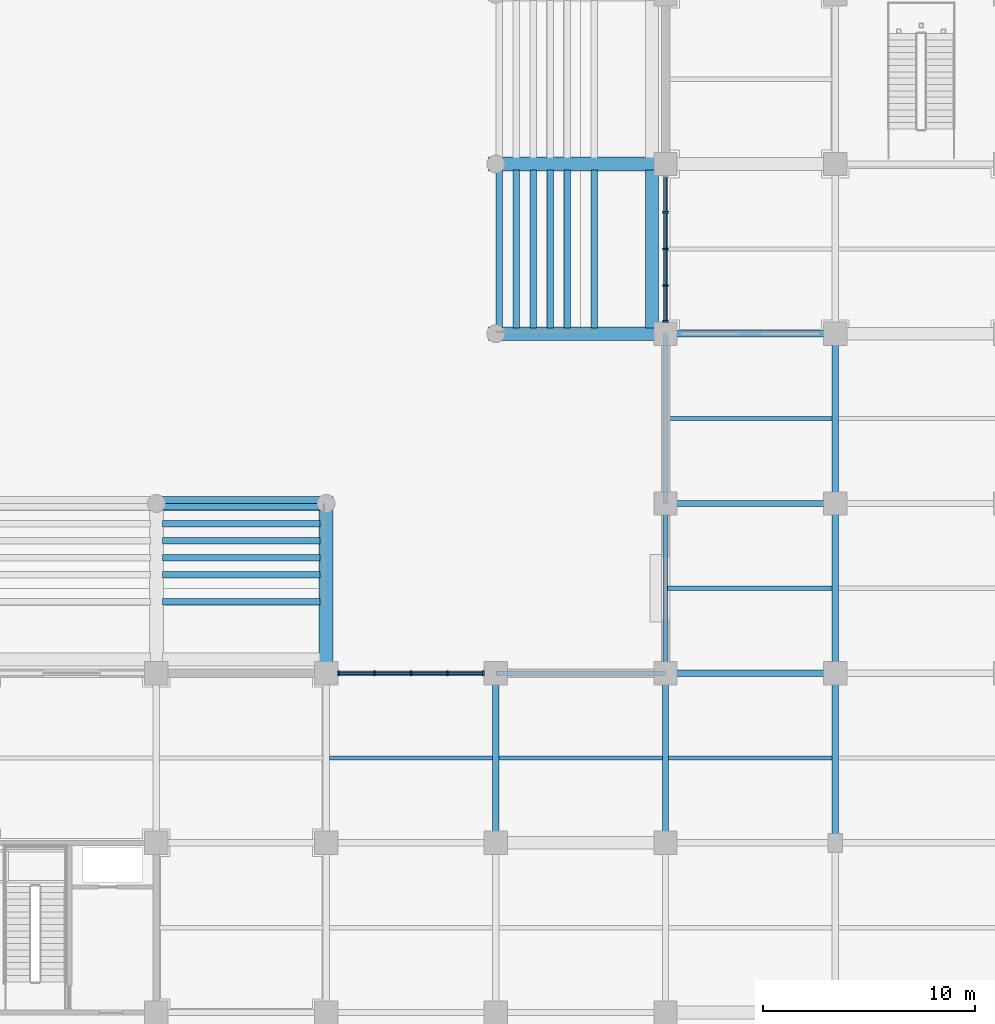
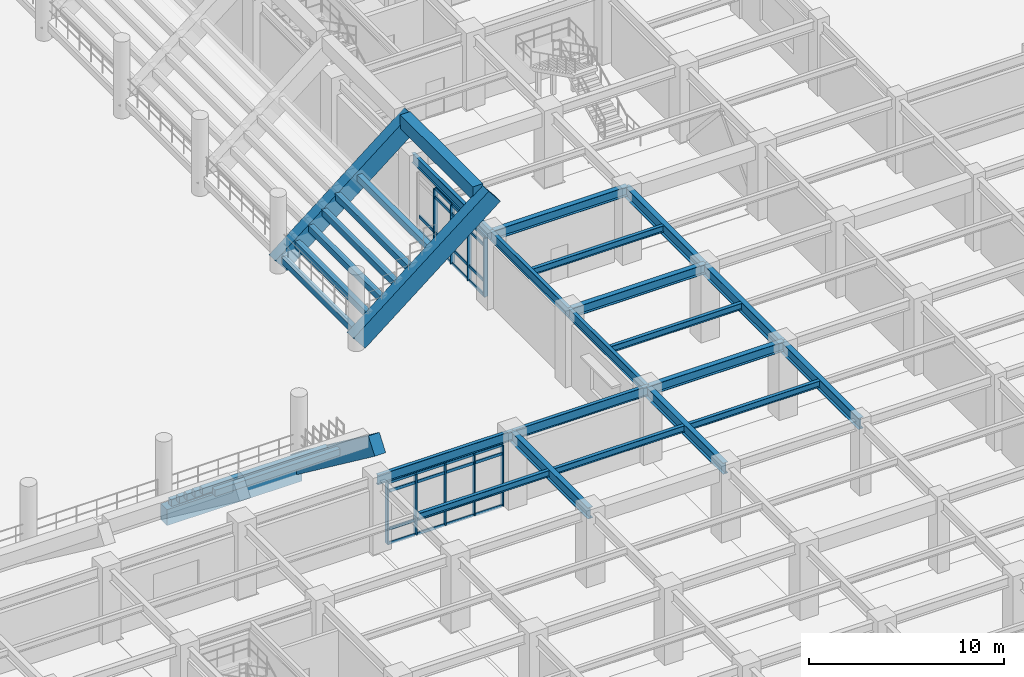
# One storey, part 31 of 125: 39 members, 35 beams, 2 elements without a shape of their own.
"""IFC4 building model written with IfcOpenShell, lengths in metres."""

from ifc_helpers import new_model, si_unit, direction, frame, origin, origin_2d, place, context, subcontext, project, spatial, rectangle, i_section, extrude, material, layer, layer_set, material_profile, profile_set, type_object, element, aggregate, save


model = new_model("IFC4")

# Units and contexts
model_context = context("Model", 3, precision=1e-05, world=origin(), true_north=direction((0.0, 1.0)))
body_context = subcontext(model_context, "Body", "Model", "MODEL_VIEW")
ifc_project = project(units=[si_unit("LENGTHUNIT", "METRE"), si_unit("AREAUNIT", "SQUARE_METRE"), si_unit("VOLUMEUNIT", "CUBIC_METRE"), si_unit("PLANEANGLEUNIT", "RADIAN"), si_unit("MASSUNIT", "GRAM", prefix="KILO")], contexts=[model_context])

# Site, building, storey
site_placement = place(None, origin())
site = spatial("IfcSite", under=ifc_project, at=site_placement, CompositionType="ELEMENT")
building_placement = place(site_placement, origin())
building = spatial("IfcBuilding", under=site, at=building_placement, Name="Haebicheon Civic Stadium", CompositionType="ELEMENT")
storey_placement = place(building_placement, origin())
storey = spatial("IfcBuildingStorey", under=building, at=storey_placement, Name="L01", CompositionType="ELEMENT", Elevation=0.0)

# Beams
ifc_material_1 = material(Name="Precast concrete C40/50", Category="concrete")
ifc_material_profile_1 = material_profile(ifc_material_1, rectangle(XDim=0.300048828125, YDim=0.39990234375, at=origin_2d()), Name="PC-LN-300x400")
ifc_profile_set_1 = profile_set([ifc_material_profile_1], Name="Precast concrete C40/50")
beam_type_1 = type_object("IfcBeamType", Name="BM-LN-300x400", PredefinedType="LINTEL", material=ifc_profile_set_1)
for number, where, z_axis, x_axis, name in (
    (1, (136.159912109375, 48.280029296875, 0.760009765625), (0.0, 1.0, 0.0), (-1.0, 0.0, 0.0), "TIER-E-L precast step carrier beam 1.1"),
    (2, (136.9599609375, 48.280029296875, 1.470947265625), (0.0, 1.0, 0.0), (-1.0, 0.0, 0.0), "TIER-E-L precast step carrier beam 1.2"),
    (3, (137.760009765625, 48.280029296875, 2.181884765625), (0.0, 1.0, 0.0), (-1.0, 0.0, 0.0), "TIER-E-L precast step carrier beam 1.3"),
    (4, (138.56005859375, 48.280029296875, 2.89306640625), (0.0, 1.0, 0.0), (-1.0, 0.0, 0.0), "TIER-E-L precast step carrier beam 1.4"),
    (5, (139.360107421875, 48.280029296875, 3.60400390625), (0.0, 1.0, 0.0), (-1.0, 0.0, 0.0), "TIER-E-L precast step carrier beam 1.5"),
    (6, (140.639892578125, 48.280029296875, 4.31591796875), (0.0, 1.0, 0.0), (-1.0, 0.0, 0.0), "TIER-E-L precast step carrier beam 1.6"),
    (7, (120.280029296875, 39.840087890625, 0.760009765625), (1.0, 0.0, 0.0), (0.0, 1.0, 0.0), "TIER-S-L precast step carrier beam 6.1"),
    (8, (120.280029296875, 39.0400390625, 1.427001953125), (1.0, 0.0, 0.0), (0.0, 1.0, 0.0), "TIER-S-L precast step carrier beam 6.2"),
    (9, (120.280029296875, 38.239990234375, 2.093017578125), (1.0, 0.0, 0.0), (0.0, 1.0, 0.0), "TIER-S-L precast step carrier beam 6.3"),
    (10, (120.280029296875, 37.43994140625, 2.760009765625), (1.0, 0.0, 0.0), (0.0, 1.0, 0.0), "TIER-S-L precast step carrier beam 6.4"),
    (11, (120.280029296875, 36.639892578125, 3.427001953125), (1.0, 0.0, 0.0), (0.0, 1.0, 0.0), "TIER-S-L precast step carrier beam 6.5"),
    (12, (120.280029296875, 35.360107421875, 4.093017578125), (1.0, 0.0, 0.0), (0.0, 1.0, 0.0), "TIER-S-L precast step carrier beam 6.6"),
):
    element("IfcBeam", number, at=place(storey_placement, frame(where, z_axis=z_axis, x_axis=x_axis)), inside=storey, type_object=beam_type_1, material=ifc_profile_set_1, Name=name, PredefinedType="LINTEL", context=body_context, shape_type="SweptSolid", body=[
        extrude(rectangle(XDim=0.300048828125, YDim=0.39990234375, at=origin_2d()), origin(), (0.0, 0.0, 1.0), 7.43994140625),
    ])
ifc_material_2 = material(Name="Concrete C40/50", Category="concrete")
ifc_material_profile_2 = material_profile(ifc_material_2, rectangle(XDim=0.64990234375, YDim=1.0, at=origin_2d()), Name="RC-BM-650x1000")
ifc_profile_set_2 = profile_set([ifc_material_profile_2], Name="Concrete C40/50")
beam_type_2 = type_object("IfcBeamType", Name="BM-RC-650x1000", PredefinedType="BEAM", material=ifc_profile_set_2)
beam_1_placement = place(storey_placement, frame((120.0, 40.0, -0.0400390625), z_axis=(1.0, 0.0, 0.0), x_axis=(0.0, 1.0, 0.0)))
element("IfcBeam", 13, at=beam_1_placement, inside=storey, type_object=beam_type_2, material=ifc_profile_set_2, Name="TIER-S-L nose support girder 6", PredefinedType="BEAM", context=body_context, shape_type="SweptSolid", body=[
    extrude(rectangle(XDim=0.64990234375, YDim=1.0, at=origin_2d()), origin(), (0.0, 0.0, 1.0), 8.0),
])
ifc_material_3 = material(Name="Steel SM355 (S355)", Category="steel")
ifc_material_profile_3 = material_profile(ifc_material_3, i_section(OverallWidth=0.300048828125, OverallDepth=0.60009765625, WebThickness=0.011962890625, FlangeThickness=0.02001953125, at=origin_2d()), Name="H-600x300x12x20")
ifc_profile_set_3 = profile_set([ifc_material_profile_3], Name="Steel SM355 (S355)")
beam_type_3 = type_object("IfcBeamType", Name="BM-ST-H600A", PredefinedType="BEAM", material=ifc_profile_set_3)
for number, where, z_axis, x_axis, name in (
    (14, (144.0, 32.0, 4.219970703125), (1.0, 0.0, 0.0), (0.0, 1.0, 0.0), "L01 beam E/19-20"),
    (15, (144.0, 40.0, 4.219970703125), (1.0, 0.0, 0.0), (0.0, 1.0, 0.0), "L01 beam F/19-20"),
    (16, (144.0, 48.0, 4.219970703125), (1.0, 0.0, 0.0), (0.0, 1.0, 0.0), "L01 beam G/19-20"),
):
    element("IfcBeam", number, at=place(storey_placement, frame(where, z_axis=z_axis, x_axis=x_axis)), inside=storey, type_object=beam_type_3, material=ifc_profile_set_3, Name=name, PredefinedType="BEAM", context=body_context, shape_type="SweptSolid", body=[
        extrude(i_section(OverallWidth=0.300048828125, OverallDepth=0.60009765625, WebThickness=0.011962890625, FlangeThickness=0.02001953125, at=origin_2d()), origin(), (0.0, 0.0, 1.0), 8.0),
    ])
ifc_material_4 = material(Name="Steel SM490", Category="steel")
ifc_material_profile_4 = material_profile(ifc_material_4, i_section(OverallWidth=0.300048828125, OverallDepth=0.699951171875, WebThickness=0.012939453125, FlangeThickness=0.02392578125, at=origin_2d()), Name="H-700x300x13x24")
ifc_profile_set_4 = profile_set([ifc_material_profile_4], Name="Steel SM490")
beam_type_4 = type_object("IfcBeamType", Name="BM-ST-H700", PredefinedType="BEAM", material=ifc_profile_set_4)
for number, where, z_axis, x_axis, name in (
    (17, (136.0, 24.0, 4.169921875), (0.0, 1.0, 0.0), (-1.0, 0.0, 0.0), "L01 girder 18/D-E"),
    (18, (144.0, 24.0, 4.169921875), (0.0, 1.0, 0.0), (-1.0, 0.0, 0.0), "L01 girder 19/D-E"),
    (19, (152.0, 24.0, 4.169921875), (0.0, 1.0, 0.0), (-1.0, 0.0, 0.0), "L01 girder 20/D-E"),
    (20, (152.0, 32.0, 4.169921875), (0.0, 1.0, 0.0), (-1.0, 0.0, 0.0), "L01 girder 20/E-F"),
    (21, (152.0, 40.0, 4.169921875), (0.0, 1.0, 0.0), (-1.0, 0.0, 0.0), "L01 girder 20/F-G"),
):
    element("IfcBeam", number, at=place(storey_placement, frame(where, z_axis=z_axis, x_axis=x_axis)), inside=storey, type_object=beam_type_4, material=ifc_profile_set_4, Name=name, PredefinedType="BEAM", context=body_context, shape_type="SweptSolid", body=[
        extrude(i_section(OverallWidth=0.300048828125, OverallDepth=0.699951171875, WebThickness=0.012939453125, FlangeThickness=0.02392578125, at=origin_2d()), origin(), (0.0, 0.0, 1.0), 8.0),
    ])
ifc_material_5 = material(Name="Precast concrete C40/50", Category="concrete")
ifc_material_profile_5 = material_profile(ifc_material_5, rectangle(XDim=0.60009765625, YDim=0.85009765625, at=origin_2d()), Name="PC-TB-600x850")
ifc_profile_set_5 = profile_set([ifc_material_profile_5], Name="Precast concrete C40/50")
beam_type_5 = type_object("IfcBeamType", Name="BM-TB-600x850", PredefinedType="T_BEAM", material=ifc_profile_set_5)
beam_2_placement = place(storey_placement, frame((143.360107421875, 48.280029296875, 6.93505859375), z_axis=(0.0, 1.0, 0.0), x_axis=(-1.0, 0.0, 0.0)))
element("IfcBeam", 22, at=beam_2_placement, inside=storey, type_object=beam_type_5, material=ifc_profile_set_5, Name="TIER-E-L upper tier bench carrier beam 1", PredefinedType="T_BEAM", context=body_context, shape_type="SweptSolid", body=[
    extrude(rectangle(XDim=0.60009765625, YDim=0.85009765625, at=origin_2d()), origin(), (0.0, 0.0, 1.0), 7.43994140625),
])

# Curtain wall, members
ifc_material_6 = material(Name="Anodised aluminium and laminated glass", Category="aluminium")
ifc_layer_1 = layer(ifc_material_6, 0.179931640625, Name="Anodised aluminium and laminated glass")
ifc_layer_set_1 = layer_set([ifc_layer_1], Name="Anodised aluminium and laminated glass")
curtain_wall_type_1 = type_object("IfcCurtainWallType", Name="CW-6900x3810", PredefinedType="NOTDEFINED", material=ifc_layer_set_1)
curtain_wall_1_placement = place(storey_placement, origin())
curtain_wall_1 = element("IfcCurtainWall", 23, at=curtain_wall_1_placement, inside=storey, type_object=curtain_wall_type_1, material=ifc_layer_set_1, Name="L01 unitised curtain wall 012", PredefinedType="NOTDEFINED")
ifc_material_7 = material(Name="Anodised aluminium 6063-T6", Category="aluminium")
ifc_material_profile_6 = material_profile(ifc_material_7, rectangle(XDim=0.080078125, YDim=0.239990234375, at=origin_2d()), Name="ALU-MULL-80x240")
ifc_profile_set_6 = profile_set([ifc_material_profile_6], Name="Anodised aluminium 6063-T6")
member_type_1 = type_object("IfcMemberType", Name="CWM-240x80", PredefinedType="MULLION", material=ifc_profile_set_6)
member_1_placement = place(storey_placement, frame((128.590087890625, 32.0, 0.0), z_axis=(0.0, 0.0, 1.0), x_axis=(1.0, 0.0, 0.0)))
member_1 = element("IfcMember", 24, at=member_1_placement, type_object=member_type_1, material=ifc_profile_set_6, Name="CW-L01-012 vertical mullion 1", PredefinedType="MULLION", context=body_context, shape_type="SweptSolid", body=[
    extrude(rectangle(XDim=0.080078125, YDim=0.239990234375, at=origin_2d()), origin(), (0.0, 0.0, 1.0), 3.81005859375),
])
member_2_placement = place(storey_placement, frame((130.27490234375, 32.0, 0.0), z_axis=(0.0, 0.0, 1.0), x_axis=(1.0, 0.0, 0.0)))
member_2 = element("IfcMember", 25, at=member_2_placement, type_object=member_type_1, material=ifc_profile_set_6, Name="CW-L01-012 vertical mullion 2", PredefinedType="MULLION", context=body_context, shape_type="SweptSolid", body=[
    extrude(rectangle(XDim=0.080078125, YDim=0.239990234375, at=origin_2d()), origin(), (0.0, 0.0, 1.0), 3.81005859375),
])
member_3_placement = place(storey_placement, frame((132.0, 32.0, 0.0), z_axis=(0.0, 0.0, 1.0), x_axis=(1.0, 0.0, 0.0)))
member_3 = element("IfcMember", 26, at=member_3_placement, type_object=member_type_1, material=ifc_profile_set_6, Name="CW-L01-012 vertical mullion 3", PredefinedType="MULLION", context=body_context, shape_type="SweptSolid", body=[
    extrude(rectangle(XDim=0.080078125, YDim=0.239990234375, at=origin_2d()), origin(), (0.0, 0.0, 1.0), 3.81005859375),
])
member_4_placement = place(storey_placement, frame((133.72509765625, 32.0, 0.0), z_axis=(0.0, 0.0, 1.0), x_axis=(1.0, 0.0, 0.0)))
member_4 = element("IfcMember", 27, at=member_4_placement, type_object=member_type_1, material=ifc_profile_set_6, Name="CW-L01-012 vertical mullion 4", PredefinedType="MULLION", context=body_context, shape_type="SweptSolid", body=[
    extrude(rectangle(XDim=0.080078125, YDim=0.239990234375, at=origin_2d()), origin(), (0.0, 0.0, 1.0), 3.81005859375),
])
member_5_placement = place(storey_placement, frame((135.409912109375, 32.0, 0.0), z_axis=(0.0, 0.0, 1.0), x_axis=(1.0, 0.0, 0.0)))
member_5 = element("IfcMember", 28, at=member_5_placement, type_object=member_type_1, material=ifc_profile_set_6, Name="CW-L01-012 vertical mullion 5", PredefinedType="MULLION", context=body_context, shape_type="SweptSolid", body=[
    extrude(rectangle(XDim=0.080078125, YDim=0.239990234375, at=origin_2d()), origin(), (0.0, 0.0, 1.0), 3.81005859375),
])

ifc_material_8 = material(Name="Anodised aluminium and laminated glass", Category="aluminium")
ifc_layer_2 = layer(ifc_material_8, 0.179931640625, Name="Anodised aluminium and laminated glass")
ifc_layer_set_2 = layer_set([ifc_layer_2], Name="Anodised aluminium and laminated glass")
curtain_wall_type_2 = type_object("IfcCurtainWallType", Name="CW-6900x3660", PredefinedType="NOTDEFINED", material=ifc_layer_set_2)
curtain_wall_2_placement = place(storey_placement, origin())
curtain_wall_2 = element("IfcCurtainWall", 29, at=curtain_wall_2_placement, inside=storey, type_object=curtain_wall_type_2, material=ifc_layer_set_2, Name="L01 unitised curtain wall 013", PredefinedType="NOTDEFINED")
member_6_placement = place(storey_placement, frame((144.0, 48.590087890625, 0.0), z_axis=(0.0, 0.0, 1.0), x_axis=(0.0, 1.0, 0.0)))
member_6 = element("IfcMember", 30, at=member_6_placement, type_object=member_type_1, material=ifc_profile_set_6, Name="CW-L01-013 vertical mullion 1", PredefinedType="MULLION", context=body_context, shape_type="SweptSolid", body=[
    extrude(rectangle(XDim=0.080078125, YDim=0.239990234375, at=origin_2d()), origin(), (0.0, 0.0, 1.0), 3.659912109375),
])
member_7_placement = place(storey_placement, frame((144.0, 50.27490234375, 0.0), z_axis=(0.0, 0.0, 1.0), x_axis=(0.0, 1.0, 0.0)))
member_7 = element("IfcMember", 31, at=member_7_placement, type_object=member_type_1, material=ifc_profile_set_6, Name="CW-L01-013 vertical mullion 2", PredefinedType="MULLION", context=body_context, shape_type="SweptSolid", body=[
    extrude(rectangle(XDim=0.080078125, YDim=0.239990234375, at=origin_2d()), origin(), (0.0, 0.0, 1.0), 3.659912109375),
])
member_8_placement = place(storey_placement, frame((144.0, 52.0, 0.0), z_axis=(0.0, 0.0, 1.0), x_axis=(0.0, 1.0, 0.0)))
member_8 = element("IfcMember", 32, at=member_8_placement, type_object=member_type_1, material=ifc_profile_set_6, Name="CW-L01-013 vertical mullion 3", PredefinedType="MULLION", context=body_context, shape_type="SweptSolid", body=[
    extrude(rectangle(XDim=0.080078125, YDim=0.239990234375, at=origin_2d()), origin(), (0.0, 0.0, 1.0), 3.659912109375),
])
member_9_placement = place(storey_placement, frame((144.0, 53.72509765625, 0.0), z_axis=(0.0, 0.0, 1.0), x_axis=(0.0, 1.0, 0.0)))
member_9 = element("IfcMember", 33, at=member_9_placement, type_object=member_type_1, material=ifc_profile_set_6, Name="CW-L01-013 vertical mullion 4", PredefinedType="MULLION", context=body_context, shape_type="SweptSolid", body=[
    extrude(rectangle(XDim=0.080078125, YDim=0.239990234375, at=origin_2d()), origin(), (0.0, 0.0, 1.0), 3.659912109375),
])

# Member
ifc_material_9 = material(Name="Anodised aluminium 6063-T6", Category="aluminium")
ifc_material_profile_7 = material_profile(ifc_material_9, rectangle(XDim=0.080078125, YDim=0.179931640625, at=origin_2d()), Name="ALU-TRAN-80x180")
ifc_profile_set_7 = profile_set([ifc_material_profile_7], Name="Anodised aluminium 6063-T6")
member_type_2 = type_object("IfcMemberType", Name="CWT-180x80", PredefinedType="NOTDEFINED", material=ifc_profile_set_7)
member_10_placement = place(storey_placement, frame((128.6298828125, 32.0, 0.0), z_axis=(1.0, 0.0, 0.0), x_axis=(0.0, 1.0, 0.0)))
member_10 = element("IfcMember", 34, at=member_10_placement, type_object=member_type_2, material=ifc_profile_set_7, Name="CW-L01-012 horizontal transom 1.1", ObjectType="TRANSOM", PredefinedType="USERDEFINED", context=body_context, shape_type="SweptSolid", body=[
    extrude(rectangle(XDim=0.080078125, YDim=0.179931640625, at=origin_2d()), origin(), (0.0, 0.0, 1.0), 1.605224609375),
])

member_11_placement = place(storey_placement, frame((128.6298828125, 32.0, 0.89990234375), z_axis=(1.0, 0.0, 0.0), x_axis=(0.0, 1.0, 0.0)))
member_11 = element("IfcMember", 35, at=member_11_placement, type_object=member_type_2, material=ifc_profile_set_7, Name="CW-L01-012 horizontal transom 1.2", ObjectType="TRANSOM", PredefinedType="USERDEFINED", context=body_context, shape_type="SweptSolid", body=[
    extrude(rectangle(XDim=0.080078125, YDim=0.179931640625, at=origin_2d()), origin(), (0.0, 0.0, 1.0), 1.605224609375),
])

member_12_placement = place(storey_placement, frame((128.6298828125, 32.0, 3.260009765625), z_axis=(1.0, 0.0, 0.0), x_axis=(0.0, 1.0, 0.0)))
member_12 = element("IfcMember", 36, at=member_12_placement, type_object=member_type_2, material=ifc_profile_set_7, Name="CW-L01-012 horizontal transom 1.3", ObjectType="TRANSOM", PredefinedType="USERDEFINED", context=body_context, shape_type="SweptSolid", body=[
    extrude(rectangle(XDim=0.080078125, YDim=0.179931640625, at=origin_2d()), origin(), (0.0, 0.0, 1.0), 1.605224609375),
])

member_13_placement = place(storey_placement, frame((128.6298828125, 32.0, 3.81005859375), z_axis=(1.0, 0.0, 0.0), x_axis=(0.0, 1.0, 0.0)))
member_13 = element("IfcMember", 37, at=member_13_placement, type_object=member_type_2, material=ifc_profile_set_7, Name="CW-L01-012 horizontal transom 1.4", ObjectType="TRANSOM", PredefinedType="USERDEFINED", context=body_context, shape_type="SweptSolid", body=[
    extrude(rectangle(XDim=0.080078125, YDim=0.179931640625, at=origin_2d()), origin(), (0.0, 0.0, 1.0), 1.605224609375),
])

member_14_placement = place(storey_placement, frame((130.31494140625, 32.0, 0.0), z_axis=(1.0, 0.0, 0.0), x_axis=(0.0, 1.0, 0.0)))
member_14 = element("IfcMember", 38, at=member_14_placement, type_object=member_type_2, material=ifc_profile_set_7, Name="CW-L01-012 horizontal transom 2.1", ObjectType="TRANSOM", PredefinedType="USERDEFINED", context=body_context, shape_type="SweptSolid", body=[
    extrude(rectangle(XDim=0.080078125, YDim=0.179931640625, at=origin_2d()), origin(), (0.0, 0.0, 1.0), 1.64501953125),
])

member_15_placement = place(storey_placement, frame((130.31494140625, 32.0, 0.89990234375), z_axis=(1.0, 0.0, 0.0), x_axis=(0.0, 1.0, 0.0)))
member_15 = element("IfcMember", 39, at=member_15_placement, type_object=member_type_2, material=ifc_profile_set_7, Name="CW-L01-012 horizontal transom 2.2", ObjectType="TRANSOM", PredefinedType="USERDEFINED", context=body_context, shape_type="SweptSolid", body=[
    extrude(rectangle(XDim=0.080078125, YDim=0.179931640625, at=origin_2d()), origin(), (0.0, 0.0, 1.0), 1.64501953125),
])

member_16_placement = place(storey_placement, frame((130.31494140625, 32.0, 3.260009765625), z_axis=(1.0, 0.0, 0.0), x_axis=(0.0, 1.0, 0.0)))
member_16 = element("IfcMember", 40, at=member_16_placement, type_object=member_type_2, material=ifc_profile_set_7, Name="CW-L01-012 horizontal transom 2.3", ObjectType="TRANSOM", PredefinedType="USERDEFINED", context=body_context, shape_type="SweptSolid", body=[
    extrude(rectangle(XDim=0.080078125, YDim=0.179931640625, at=origin_2d()), origin(), (0.0, 0.0, 1.0), 1.64501953125),
])

member_17_placement = place(storey_placement, frame((130.31494140625, 32.0, 3.81005859375), z_axis=(1.0, 0.0, 0.0), x_axis=(0.0, 1.0, 0.0)))
member_17 = element("IfcMember", 41, at=member_17_placement, type_object=member_type_2, material=ifc_profile_set_7, Name="CW-L01-012 horizontal transom 2.4", ObjectType="TRANSOM", PredefinedType="USERDEFINED", context=body_context, shape_type="SweptSolid", body=[
    extrude(rectangle(XDim=0.080078125, YDim=0.179931640625, at=origin_2d()), origin(), (0.0, 0.0, 1.0), 1.64501953125),
])

member_18_placement = place(storey_placement, frame((132.0400390625, 32.0, 0.0), z_axis=(1.0, 0.0, 0.0), x_axis=(0.0, 1.0, 0.0)))
member_18 = element("IfcMember", 42, at=member_18_placement, type_object=member_type_2, material=ifc_profile_set_7, Name="CW-L01-012 horizontal transom 3.1", ObjectType="TRANSOM", PredefinedType="USERDEFINED", context=body_context, shape_type="SweptSolid", body=[
    extrude(rectangle(XDim=0.080078125, YDim=0.179931640625, at=origin_2d()), origin(), (0.0, 0.0, 1.0), 1.64501953125),
])

member_19_placement = place(storey_placement, frame((132.0400390625, 32.0, 0.89990234375), z_axis=(1.0, 0.0, 0.0), x_axis=(0.0, 1.0, 0.0)))
member_19 = element("IfcMember", 43, at=member_19_placement, type_object=member_type_2, material=ifc_profile_set_7, Name="CW-L01-012 horizontal transom 3.2", ObjectType="TRANSOM", PredefinedType="USERDEFINED", context=body_context, shape_type="SweptSolid", body=[
    extrude(rectangle(XDim=0.080078125, YDim=0.179931640625, at=origin_2d()), origin(), (0.0, 0.0, 1.0), 1.64501953125),
])

member_20_placement = place(storey_placement, frame((132.0400390625, 32.0, 3.260009765625), z_axis=(1.0, 0.0, 0.0), x_axis=(0.0, 1.0, 0.0)))
member_20 = element("IfcMember", 44, at=member_20_placement, type_object=member_type_2, material=ifc_profile_set_7, Name="CW-L01-012 horizontal transom 3.3", ObjectType="TRANSOM", PredefinedType="USERDEFINED", context=body_context, shape_type="SweptSolid", body=[
    extrude(rectangle(XDim=0.080078125, YDim=0.179931640625, at=origin_2d()), origin(), (0.0, 0.0, 1.0), 1.64501953125),
])

member_21_placement = place(storey_placement, frame((132.0400390625, 32.0, 3.81005859375), z_axis=(1.0, 0.0, 0.0), x_axis=(0.0, 1.0, 0.0)))
member_21 = element("IfcMember", 45, at=member_21_placement, type_object=member_type_2, material=ifc_profile_set_7, Name="CW-L01-012 horizontal transom 3.4", ObjectType="TRANSOM", PredefinedType="USERDEFINED", context=body_context, shape_type="SweptSolid", body=[
    extrude(rectangle(XDim=0.080078125, YDim=0.179931640625, at=origin_2d()), origin(), (0.0, 0.0, 1.0), 1.64501953125),
])

member_22_placement = place(storey_placement, frame((133.764892578125, 32.0, 0.0), z_axis=(1.0, 0.0, 0.0), x_axis=(0.0, 1.0, 0.0)))
member_22 = element("IfcMember", 46, at=member_22_placement, type_object=member_type_2, material=ifc_profile_set_7, Name="CW-L01-012 horizontal transom 4.1", ObjectType="TRANSOM", PredefinedType="USERDEFINED", context=body_context, shape_type="SweptSolid", body=[
    extrude(rectangle(XDim=0.080078125, YDim=0.179931640625, at=origin_2d()), origin(), (0.0, 0.0, 1.0), 1.605224609375),
])

member_23_placement = place(storey_placement, frame((133.764892578125, 32.0, 0.89990234375), z_axis=(1.0, 0.0, 0.0), x_axis=(0.0, 1.0, 0.0)))
member_23 = element("IfcMember", 47, at=member_23_placement, type_object=member_type_2, material=ifc_profile_set_7, Name="CW-L01-012 horizontal transom 4.2", ObjectType="TRANSOM", PredefinedType="USERDEFINED", context=body_context, shape_type="SweptSolid", body=[
    extrude(rectangle(XDim=0.080078125, YDim=0.179931640625, at=origin_2d()), origin(), (0.0, 0.0, 1.0), 1.605224609375),
])

member_24_placement = place(storey_placement, frame((133.764892578125, 32.0, 3.260009765625), z_axis=(1.0, 0.0, 0.0), x_axis=(0.0, 1.0, 0.0)))
member_24 = element("IfcMember", 48, at=member_24_placement, type_object=member_type_2, material=ifc_profile_set_7, Name="CW-L01-012 horizontal transom 4.3", ObjectType="TRANSOM", PredefinedType="USERDEFINED", context=body_context, shape_type="SweptSolid", body=[
    extrude(rectangle(XDim=0.080078125, YDim=0.179931640625, at=origin_2d()), origin(), (0.0, 0.0, 1.0), 1.605224609375),
])

member_25_placement = place(storey_placement, frame((133.764892578125, 32.0, 3.81005859375), z_axis=(1.0, 0.0, 0.0), x_axis=(0.0, 1.0, 0.0)))
member_25 = element("IfcMember", 49, at=member_25_placement, type_object=member_type_2, material=ifc_profile_set_7, Name="CW-L01-012 horizontal transom 4.4", ObjectType="TRANSOM", PredefinedType="USERDEFINED", context=body_context, shape_type="SweptSolid", body=[
    extrude(rectangle(XDim=0.080078125, YDim=0.179931640625, at=origin_2d()), origin(), (0.0, 0.0, 1.0), 1.605224609375),
])

aggregate(curtain_wall_1, [member_1, member_2, member_3, member_4, member_5, member_10, member_11, member_12, member_13, member_14, member_15, member_16, member_17, member_18, member_19, member_20, member_21, member_22, member_23, member_24, member_25])

member_26_placement = place(storey_placement, frame((144.0, 48.6298828125, 0.0), z_axis=(0.0, 1.0, 0.0), x_axis=(-1.0, 0.0, 0.0)))
member_26 = element("IfcMember", 50, at=member_26_placement, type_object=member_type_2, material=ifc_profile_set_7, Name="CW-L01-013 horizontal transom 1.1", ObjectType="TRANSOM", PredefinedType="USERDEFINED", context=body_context, shape_type="SweptSolid", body=[
    extrude(rectangle(XDim=0.080078125, YDim=0.179931640625, at=origin_2d()), origin(), (0.0, 0.0, 1.0), 1.605224609375),
])

member_27_placement = place(storey_placement, frame((144.0, 48.6298828125, 0.89990234375), z_axis=(0.0, 1.0, 0.0), x_axis=(-1.0, 0.0, 0.0)))
member_27 = element("IfcMember", 51, at=member_27_placement, type_object=member_type_2, material=ifc_profile_set_7, Name="CW-L01-013 horizontal transom 1.2", ObjectType="TRANSOM", PredefinedType="USERDEFINED", context=body_context, shape_type="SweptSolid", body=[
    extrude(rectangle(XDim=0.080078125, YDim=0.179931640625, at=origin_2d()), origin(), (0.0, 0.0, 1.0), 1.605224609375),
])

member_28_placement = place(storey_placement, frame((144.0, 48.6298828125, 3.110107421875), z_axis=(0.0, 1.0, 0.0), x_axis=(-1.0, 0.0, 0.0)))
member_28 = element("IfcMember", 52, at=member_28_placement, type_object=member_type_2, material=ifc_profile_set_7, Name="CW-L01-013 horizontal transom 1.3", ObjectType="TRANSOM", PredefinedType="USERDEFINED", context=body_context, shape_type="SweptSolid", body=[
    extrude(rectangle(XDim=0.080078125, YDim=0.179931640625, at=origin_2d()), origin(), (0.0, 0.0, 1.0), 1.605224609375),
])

member_29_placement = place(storey_placement, frame((144.0, 48.6298828125, 3.659912109375), z_axis=(0.0, 1.0, 0.0), x_axis=(-1.0, 0.0, 0.0)))
member_29 = element("IfcMember", 53, at=member_29_placement, type_object=member_type_2, material=ifc_profile_set_7, Name="CW-L01-013 horizontal transom 1.4", ObjectType="TRANSOM", PredefinedType="USERDEFINED", context=body_context, shape_type="SweptSolid", body=[
    extrude(rectangle(XDim=0.080078125, YDim=0.179931640625, at=origin_2d()), origin(), (0.0, 0.0, 1.0), 1.605224609375),
])

member_30_placement = place(storey_placement, frame((144.0, 50.31494140625, 0.0), z_axis=(0.0, 1.0, 0.0), x_axis=(-1.0, 0.0, 0.0)))
member_30 = element("IfcMember", 54, at=member_30_placement, type_object=member_type_2, material=ifc_profile_set_7, Name="CW-L01-013 horizontal transom 2.1", ObjectType="TRANSOM", PredefinedType="USERDEFINED", context=body_context, shape_type="SweptSolid", body=[
    extrude(rectangle(XDim=0.080078125, YDim=0.179931640625, at=origin_2d()), origin(), (0.0, 0.0, 1.0), 1.64501953125),
])

member_31_placement = place(storey_placement, frame((144.0, 50.31494140625, 0.89990234375), z_axis=(0.0, 1.0, 0.0), x_axis=(-1.0, 0.0, 0.0)))
member_31 = element("IfcMember", 55, at=member_31_placement, type_object=member_type_2, material=ifc_profile_set_7, Name="CW-L01-013 horizontal transom 2.2", ObjectType="TRANSOM", PredefinedType="USERDEFINED", context=body_context, shape_type="SweptSolid", body=[
    extrude(rectangle(XDim=0.080078125, YDim=0.179931640625, at=origin_2d()), origin(), (0.0, 0.0, 1.0), 1.64501953125),
])

member_32_placement = place(storey_placement, frame((144.0, 50.31494140625, 3.110107421875), z_axis=(0.0, 1.0, 0.0), x_axis=(-1.0, 0.0, 0.0)))
member_32 = element("IfcMember", 56, at=member_32_placement, type_object=member_type_2, material=ifc_profile_set_7, Name="CW-L01-013 horizontal transom 2.3", ObjectType="TRANSOM", PredefinedType="USERDEFINED", context=body_context, shape_type="SweptSolid", body=[
    extrude(rectangle(XDim=0.080078125, YDim=0.179931640625, at=origin_2d()), origin(), (0.0, 0.0, 1.0), 1.64501953125),
])

member_33_placement = place(storey_placement, frame((144.0, 50.31494140625, 3.659912109375), z_axis=(0.0, 1.0, 0.0), x_axis=(-1.0, 0.0, 0.0)))
member_33 = element("IfcMember", 57, at=member_33_placement, type_object=member_type_2, material=ifc_profile_set_7, Name="CW-L01-013 horizontal transom 2.4", ObjectType="TRANSOM", PredefinedType="USERDEFINED", context=body_context, shape_type="SweptSolid", body=[
    extrude(rectangle(XDim=0.080078125, YDim=0.179931640625, at=origin_2d()), origin(), (0.0, 0.0, 1.0), 1.64501953125),
])

member_34_placement = place(storey_placement, frame((144.0, 52.0400390625, 0.0), z_axis=(0.0, 1.0, 0.0), x_axis=(-1.0, 0.0, 0.0)))
member_34 = element("IfcMember", 58, at=member_34_placement, type_object=member_type_2, material=ifc_profile_set_7, Name="CW-L01-013 horizontal transom 3.1", ObjectType="TRANSOM", PredefinedType="USERDEFINED", context=body_context, shape_type="SweptSolid", body=[
    extrude(rectangle(XDim=0.080078125, YDim=0.179931640625, at=origin_2d()), origin(), (0.0, 0.0, 1.0), 1.64501953125),
])

member_35_placement = place(storey_placement, frame((144.0, 52.0400390625, 0.89990234375), z_axis=(0.0, 1.0, 0.0), x_axis=(-1.0, 0.0, 0.0)))
member_35 = element("IfcMember", 59, at=member_35_placement, type_object=member_type_2, material=ifc_profile_set_7, Name="CW-L01-013 horizontal transom 3.2", ObjectType="TRANSOM", PredefinedType="USERDEFINED", context=body_context, shape_type="SweptSolid", body=[
    extrude(rectangle(XDim=0.080078125, YDim=0.179931640625, at=origin_2d()), origin(), (0.0, 0.0, 1.0), 1.64501953125),
])

member_36_placement = place(storey_placement, frame((144.0, 52.0400390625, 3.110107421875), z_axis=(0.0, 1.0, 0.0), x_axis=(-1.0, 0.0, 0.0)))
member_36 = element("IfcMember", 60, at=member_36_placement, type_object=member_type_2, material=ifc_profile_set_7, Name="CW-L01-013 horizontal transom 3.3", ObjectType="TRANSOM", PredefinedType="USERDEFINED", context=body_context, shape_type="SweptSolid", body=[
    extrude(rectangle(XDim=0.080078125, YDim=0.179931640625, at=origin_2d()), origin(), (0.0, 0.0, 1.0), 1.64501953125),
])

member_37_placement = place(storey_placement, frame((144.0, 52.0400390625, 3.659912109375), z_axis=(0.0, 1.0, 0.0), x_axis=(-1.0, 0.0, 0.0)))
member_37 = element("IfcMember", 61, at=member_37_placement, type_object=member_type_2, material=ifc_profile_set_7, Name="CW-L01-013 horizontal transom 3.4", ObjectType="TRANSOM", PredefinedType="USERDEFINED", context=body_context, shape_type="SweptSolid", body=[
    extrude(rectangle(XDim=0.080078125, YDim=0.179931640625, at=origin_2d()), origin(), (0.0, 0.0, 1.0), 1.64501953125),
])

member_38_placement = place(storey_placement, frame((144.0, 53.764892578125, 0.0), z_axis=(0.0, 1.0, 0.0), x_axis=(-1.0, 0.0, 0.0)))
member_38 = element("IfcMember", 62, at=member_38_placement, type_object=member_type_2, material=ifc_profile_set_7, Name="CW-L01-013 horizontal transom 4.1", ObjectType="TRANSOM", PredefinedType="USERDEFINED", context=body_context, shape_type="SweptSolid", body=[
    extrude(rectangle(XDim=0.080078125, YDim=0.179931640625, at=origin_2d()), origin(), (0.0, 0.0, 1.0), 1.605224609375),
])

member_39_placement = place(storey_placement, frame((144.0, 53.764892578125, 0.89990234375), z_axis=(0.0, 1.0, 0.0), x_axis=(-1.0, 0.0, 0.0)))
member_39 = element("IfcMember", 63, at=member_39_placement, type_object=member_type_2, material=ifc_profile_set_7, Name="CW-L01-013 horizontal transom 4.2", ObjectType="TRANSOM", PredefinedType="USERDEFINED", context=body_context, shape_type="SweptSolid", body=[
    extrude(rectangle(XDim=0.080078125, YDim=0.179931640625, at=origin_2d()), origin(), (0.0, 0.0, 1.0), 1.605224609375),
])

aggregate(curtain_wall_2, [member_6, member_7, member_8, member_9, member_26, member_27, member_28, member_29, member_30, member_31, member_32, member_33, member_34, member_35, member_36, member_37, member_38, member_39])

# Beams
ifc_material_10 = material(Name="Steel SM355 (S355)", Category="steel")
ifc_material_profile_8 = material_profile(ifc_material_10, i_section(OverallWidth=0.199951171875, OverallDepth=0.39990234375, WebThickness=0.008056640625, FlangeThickness=0.012939453125, at=origin_2d()), Name="H-400x200x8x13")
ifc_profile_set_8 = profile_set([ifc_material_profile_8], Name="Steel SM355 (S355)")
beam_type_6 = type_object("IfcBeamType", Name="JST-ST-H400", PredefinedType="JOIST", material=ifc_profile_set_8)
for number, where, z_axis, x_axis, name in (
    (64, (128.14990234375, 28.0, 4.320068359375), (1.0, 0.0, 0.0), (0.0, 1.0, 0.0), "L01 secondary joist 16-03"),
    (65, (136.14990234375, 28.0, 4.320068359375), (1.0, 0.0, 0.0), (0.0, 1.0, 0.0), "L01 secondary joist 17-03"),
    (66, (144.14990234375, 28.0, 4.320068359375), (1.0, 0.0, 0.0), (0.0, 1.0, 0.0), "L01 secondary joist 18-03"),
):
    element("IfcBeam", number, at=place(storey_placement, frame(where, z_axis=z_axis, x_axis=x_axis)), inside=storey, type_object=beam_type_6, material=ifc_profile_set_8, Name=name, PredefinedType="JOIST", context=body_context, shape_type="SweptSolid", body=[
        extrude(i_section(OverallWidth=0.199951171875, OverallDepth=0.39990234375, WebThickness=0.008056640625, FlangeThickness=0.012939453125, at=origin_2d()), origin(), (0.0, 0.0, 1.0), 7.7001953125),
    ])
for number, where, z_axis, x_axis, name in (
    (67, (144.10009765625, 36.0, 4.320068359375), (1.0, 0.0, 0.0), (0.0, 1.0, 0.0), "L01 secondary joist 18-04"),
    (68, (144.10009765625, 44.0, 4.320068359375), (1.0, 0.0, 0.0), (0.0, 1.0, 0.0), "L01 secondary joist 18-05"),
):
    element("IfcBeam", number, at=place(storey_placement, frame(where, z_axis=z_axis, x_axis=x_axis)), inside=storey, type_object=beam_type_6, material=ifc_profile_set_8, Name=name, PredefinedType="JOIST", context=body_context, shape_type="SweptSolid", body=[
        extrude(i_section(OverallWidth=0.199951171875, OverallDepth=0.39990234375, WebThickness=0.008056640625, FlangeThickness=0.012939453125, at=origin_2d()), origin(), (0.0, 0.0, 1.0), 7.75),
    ])
ifc_material_11 = material(Name="Precast concrete C40/50", Category="concrete")
ifc_material_profile_9 = material_profile(ifc_material_11, rectangle(XDim=0.64990234375, YDim=1.10009765625, at=origin_2d()), Name="PC-RK-650x1100")
ifc_profile_set_9 = profile_set([ifc_material_profile_9], Name="Precast concrete C40/50")
beam_type_7 = type_object("IfcBeamType", Name="RK-PC-650x1100", PredefinedType="USERDEFINED", material=ifc_profile_set_9)
for number, where, z_axis, x_axis, name in (
    (69, (136.0, 48.0, 0.409912109375), (0.780861834757, 0.0, 0.624703765813), (0.0, 1.0, 0.0), "TIER-E-L inclined precast raker beam 1"),
    (70, (136.0, 56.0, 0.409912109375), (0.780861834757, 0.0, 0.624703765813), (0.0, 1.0, 0.0), "TIER-E-L inclined precast raker beam 2"),
):
    element("IfcBeam", number, at=place(storey_placement, frame(where, z_axis=z_axis, x_axis=x_axis)), inside=storey, type_object=beam_type_7, material=ifc_profile_set_9, Name=name, ObjectType="RAKER BEAM", PredefinedType="USERDEFINED", context=body_context, shape_type="SweptSolid", body=[
        extrude(rectangle(XDim=0.64990234375, YDim=1.10009765625, at=origin_2d()), origin(), (0.0, 0.0, 1.0), 10.2451171875),
    ])
beam_3_placement = place(storey_placement, frame((128.0, 40.0, 0.409912109375), z_axis=(0.0, -0.8, 0.6), x_axis=(1.0, 0.0, 0.0)))
element("IfcBeam", 71, at=beam_3_placement, inside=storey, type_object=beam_type_7, material=ifc_profile_set_9, Name="TIER-S-L inclined precast raker beam 7", ObjectType="RAKER BEAM", PredefinedType="USERDEFINED", context=body_context, shape_type="SweptSolid", body=[
    extrude(rectangle(XDim=0.64990234375, YDim=1.10009765625, at=origin_2d()), origin(), (0.0, 0.0, 1.0), 10.0),
])
ifc_material_12 = material(Name="Steel SM355 (S355)", Category="steel")
ifc_material_profile_10 = material_profile(ifc_material_12, i_section(OverallWidth=0.199951171875, OverallDepth=0.60009765625, WebThickness=0.010986328125, FlangeThickness=0.01708984375, at=origin_2d()), Name="H-600x200x11x17")
ifc_profile_set_10 = profile_set([ifc_material_profile_10], Name="Steel SM355 (S355)")
beam_type_8 = type_object("IfcBeamType", Name="SPD-ST-H600B", PredefinedType="SPANDREL", material=ifc_profile_set_10)
for number, where, z_axis, x_axis, name in (
    (72, (144.0, 32.0, 4.219970703125), (0.0, 1.0, 0.0), (-1.0, 0.0, 0.0), "L01 girder 19/E-F"),
    (73, (144.0, 40.0, 4.219970703125), (0.0, 1.0, 0.0), (-1.0, 0.0, 0.0), "L01 girder 19/F-G"),
    (74, (144.0, 48.0, 4.219970703125), (0.0, 1.0, 0.0), (-1.0, 0.0, 0.0), "L01 girder 19/G-H"),
    (75, (128.0, 32.0, 4.219970703125), (1.0, 0.0, 0.0), (0.0, 1.0, 0.0), "L01 beam E/17-18"),
    (76, (136.0, 32.0, 4.219970703125), (1.0, 0.0, 0.0), (0.0, 1.0, 0.0), "L01 beam E/18-19"),
):
    element("IfcBeam", number, at=place(storey_placement, frame(where, z_axis=z_axis, x_axis=x_axis)), inside=storey, type_object=beam_type_8, material=ifc_profile_set_10, Name=name, PredefinedType="SPANDREL", context=body_context, shape_type="SweptSolid", body=[
        extrude(i_section(OverallWidth=0.199951171875, OverallDepth=0.60009765625, WebThickness=0.010986328125, FlangeThickness=0.01708984375, at=origin_2d()), origin(), (0.0, 0.0, 1.0), 8.0),
    ])

save(model, "model.ifc")
